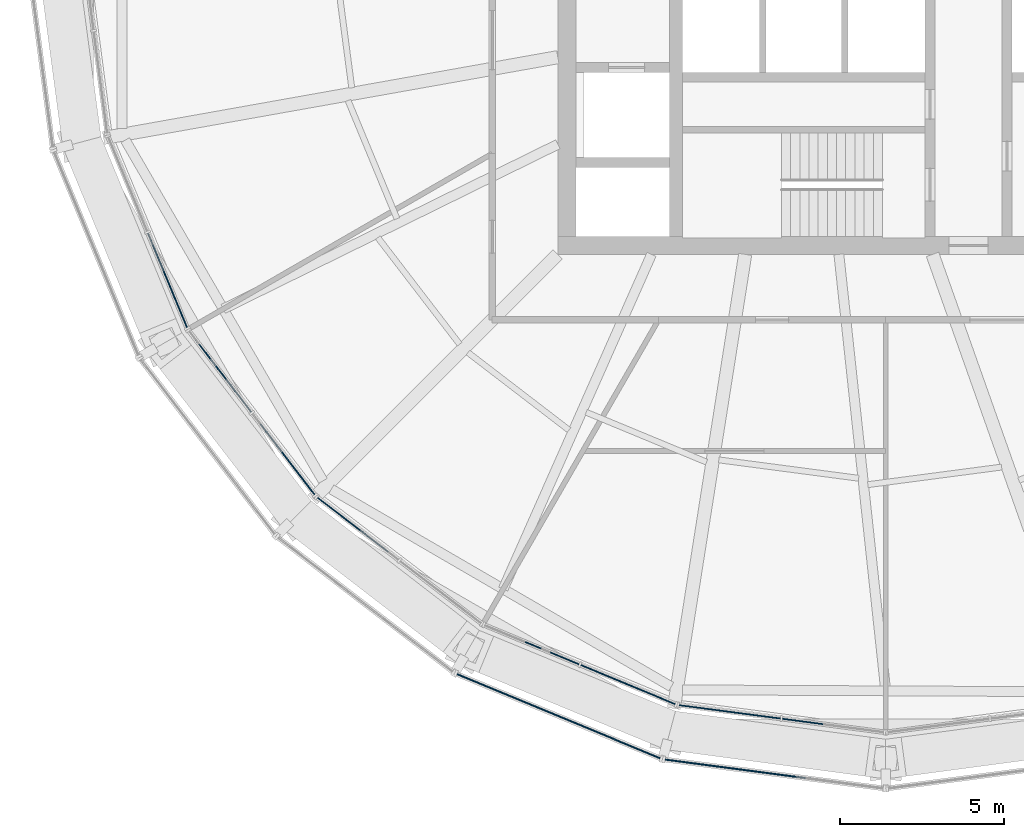
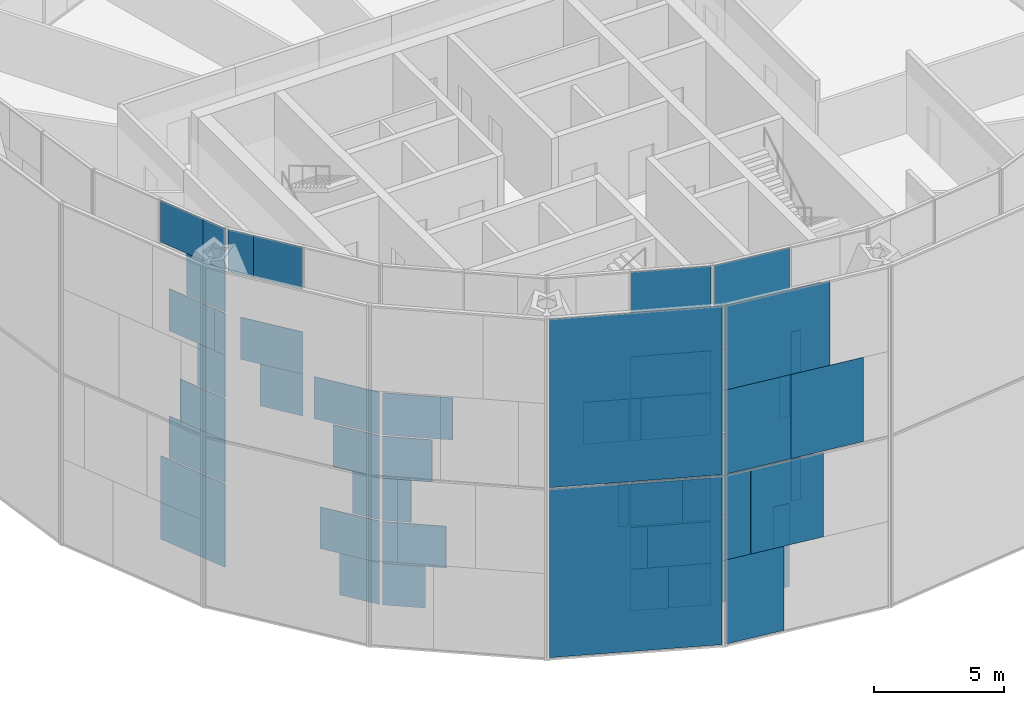
# One storey, part 14 of 30: 62 plates, 7 elements without a shape of their own.
"""IFC4 building model written with IfcOpenShell, lengths in metres."""

from ifc_helpers import new_model, si_unit, direction, frame, origin, origin_2d, place, context, subcontext, project, spatial, rectangle, extrude, material, layer, layer_set, type_object, element, aggregate, save


model = new_model("IFC4")

# Units and contexts
model_context = context("Model", 3, precision=1e-05, world=origin(), true_north=direction((0.0, 1.0)))
body_context = subcontext(model_context, "Body", "Model", "MODEL_VIEW")
ifc_project = project(units=[si_unit("LENGTHUNIT", "METRE"), si_unit("AREAUNIT", "SQUARE_METRE"), si_unit("VOLUMEUNIT", "CUBIC_METRE"), si_unit("PLANEANGLEUNIT", "RADIAN"), si_unit("MASSUNIT", "GRAM", prefix="KILO")], contexts=[model_context])

# Site, building, storey
site_placement = place(None, origin())
site = spatial("IfcSite", under=ifc_project, at=site_placement, CompositionType="ELEMENT")
building_placement = place(site_placement, origin())
building = spatial("IfcBuilding", under=site, at=building_placement, Name="Golbaran Civic Tower", CompositionType="ELEMENT")
storey_placement = place(building_placement, frame((0.0, 0.0, 102.0)))
storey = spatial("IfcBuildingStorey", under=building, at=storey_placement, Name="L24", CompositionType="ELEMENT", Elevation=102.0)

# Curtain wall, plates
ifc_material_1 = material(Name="Aluminium and glass", Category="aluminium")
curtain_wall_type_1 = type_object("IfcCurtainWallType", Name="INNER SKIN CURTAIN WALL", PredefinedType="NOTDEFINED", material=ifc_material_1)
curtain_wall_1_placement = place(storey_placement, origin())
curtain_wall_1 = element("IfcCurtainWall", 1, at=curtain_wall_1_placement, inside=storey, type_object=curtain_wall_type_1, Name="Inner skin L24 facet 14 CW1", ObjectType="INNER SKIN", PredefinedType="USERDEFINED")
ifc_material_2 = material(Name="Clear insulating glass", Category="glass")
ifc_layer_1 = layer(ifc_material_2, 0.031982421875, Name="Clear insulating glass")
ifc_layer_set_1 = layer_set([ifc_layer_1], Name="Clear insulating glass")
plate_type_1 = type_object("IfcPlateType", Name="INNER SKIN CURTAIN WALL GLAZED PANEL", PredefinedType="CURTAIN_PANEL", material=ifc_layer_set_1)
plate_1_placement = place(storey_placement, frame((-21.9052734375, -10.7919921875, 0.06494140625), z_axis=(0.0, 0.0, 1.0), x_axis=(0.382683432478, -0.923879532465, 0.0)))
plate_1 = element("IfcPlate", 2, at=plate_1_placement, type_object=plate_type_1, Name="CW1 panel 2.1", PredefinedType="CURTAIN_PANEL", context=body_context, shape_type="SweptSolid", body=[
    extrude(rectangle(XDim=3.110595703125, YDim=0.031982421875, at=origin_2d()), origin(), (0.0, 0.0, 1.0), 3.902587890625),
])
plate_2_placement = place(storey_placement, frame((-21.82861328125, -10.977294921875, 4.03271484375), z_axis=(0.0, 0.0, 1.0), x_axis=(0.382683432478, -0.923879532465, 0.0)))
plate_2 = element("IfcPlate", 3, at=plate_2_placement, type_object=plate_type_1, Name="CW1 panel 2.2 part 2", PredefinedType="CURTAIN_PANEL", context=body_context, shape_type="SweptSolid", body=[
    extrude(rectangle(XDim=2.70947265625, YDim=0.031982421875, at=origin_2d()), origin(), (0.0, 0.0, 1.0), 1.967529296875),
])
plate_3_placement = place(storey_placement, frame((-21.725341796875, -11.226318359375, 6.0), z_axis=(0.0, 0.0, 1.0), x_axis=(0.382683432478, -0.923879532465, 0.0)))
plate_3 = element("IfcPlate", 4, at=plate_3_placement, type_object=plate_type_1, Name="CW1 panel 2.2 part 4", PredefinedType="CURTAIN_PANEL", context=body_context, shape_type="SweptSolid", body=[
    extrude(rectangle(XDim=2.170654296875, YDim=0.031982421875, at=origin_2d()), origin(), (0.0, 0.0, 1.0), 1.967529296875),
])
plate_4_placement = place(storey_placement, frame((-21.564208984375, -11.615234375, 8.03271484375), z_axis=(0.0, 0.0, 1.0), x_axis=(0.382683432478, -0.923879532465, 0.0)))
plate_4 = element("IfcPlate", 5, at=plate_4_placement, type_object=plate_type_1, Name="CW1 panel 2.3 part 2", PredefinedType="CURTAIN_PANEL", context=body_context, shape_type="SweptSolid", body=[
    extrude(rectangle(XDim=1.32861328125, YDim=0.031982421875, at=origin_2d()), origin(), (0.0, 0.0, 1.0), 1.967529296875),
])
plate_5_placement = place(storey_placement, frame((-21.408203125, -11.99169921875, 10.0), z_axis=(0.0, 0.0, 1.0), x_axis=(0.382683432478, -0.923879532465, 0.0)))
plate_5 = element("IfcPlate", 6, at=plate_5_placement, type_object=plate_type_1, Name="CW1 panel 2.3 part 5", PredefinedType="CURTAIN_PANEL", context=body_context, shape_type="SweptSolid", body=[
    extrude(rectangle(XDim=0.513671875, YDim=0.031982421875, at=origin_2d()), origin(), (0.0, 0.0, 1.0), 1.967529296875),
])
plate_6_placement = place(storey_placement, frame((-22.108154296875, -10.30224609375, 13.98388671875), z_axis=(0.0, 0.0, 1.0), x_axis=(0.382683432478, -0.923879532465, 0.0)))
plate_6 = element("IfcPlate", 7, at=plate_6_placement, type_object=plate_type_1, Name="CW1 panel 2.4 part 3", PredefinedType="CURTAIN_PANEL", context=body_context, shape_type="SweptSolid", body=[
    extrude(rectangle(XDim=2.050048828125, YDim=0.031982421875, at=origin_2d()), origin(), (0.0, 0.0, 1.0), 1.951171875),
])

curtain_wall_2_placement = place(storey_placement, origin())
curtain_wall_2 = element("IfcCurtainWall", 8, at=curtain_wall_2_placement, inside=storey, type_object=curtain_wall_type_1, Name="Inner skin L24 facet 15 CW1", ObjectType="INNER SKIN", PredefinedType="USERDEFINED")
plate_7_placement = place(storey_placement, frame((-19.975830078125, -13.995361328125, 13.98388671875), z_axis=(0.0, 0.0, 1.0), x_axis=(0.608761428995, -0.793353340302, 0.0)))
plate_7 = element("IfcPlate", 9, at=plate_7_placement, type_object=plate_type_1, Name="CW1 panel 1.4 part 4", PredefinedType="CURTAIN_PANEL", context=body_context, shape_type="SweptSolid", body=[
    extrude(rectangle(XDim=2.049560546875, YDim=0.031982421875, at=origin_2d()), origin(), (0.0, 0.0, 1.0), 1.951171875),
])
plate_8_placement = place(storey_placement, frame((-17.754638671875, -16.889892578125, 4.03271484375), z_axis=(0.0, 0.0, 1.0), x_axis=(0.608761428995, -0.793353340302, 0.0)))
plate_8 = element("IfcPlate", 10, at=plate_8_placement, type_object=plate_type_1, Name="CW1 panel 2.2 part 2", PredefinedType="CURTAIN_PANEL", context=body_context, shape_type="SweptSolid", body=[
    extrude(rectangle(XDim=1.103515625, YDim=0.031982421875, at=origin_2d()), origin(), (0.0, 0.0, 1.0), 1.967529296875),
])
plate_9_placement = place(storey_placement, frame((-18.0029296875, -16.566650390625, 6.0), z_axis=(0.0, 0.0, 1.0), x_axis=(0.608761428995, -0.793353340302, 0.0)))
plate_9 = element("IfcPlate", 11, at=plate_9_placement, type_object=plate_type_1, Name="CW1 panel 2.2 part 4", PredefinedType="CURTAIN_PANEL", context=body_context, shape_type="SweptSolid", body=[
    extrude(rectangle(XDim=1.91845703125, YDim=0.031982421875, at=origin_2d()), origin(), (0.0, 0.0, 1.0), 1.967529296875),
])
plate_10_placement = place(storey_placement, frame((-18.243896484375, -16.25244140625, 8.03271484375), z_axis=(0.0, 0.0, 1.0), x_axis=(0.608761428995, -0.793353340302, 0.0)))
plate_10 = element("IfcPlate", 12, at=plate_10_placement, type_object=plate_type_1, Name="CW1 panel 2.3 part 2", PredefinedType="CURTAIN_PANEL", context=body_context, shape_type="SweptSolid", body=[
    extrude(rectangle(XDim=2.710693359375, YDim=0.031982421875, at=origin_2d()), origin(), (0.0, 0.0, 1.0), 1.967529296875),
])

curtain_wall_3_placement = place(storey_placement, origin())
curtain_wall_3 = element("IfcCurtainWall", 13, at=curtain_wall_3_placement, inside=storey, type_object=curtain_wall_type_1, Name="Inner skin L24 facet 16 CW1", ObjectType="INNER SKIN", PredefinedType="USERDEFINED")
plate_11_placement = place(storey_placement, frame((-16.889892578125, -17.7548828125, 4.03271484375), z_axis=(0.0, 0.0, 1.0), x_axis=(0.793353340302, -0.608761428995, 0.0)))
plate_11 = element("IfcPlate", 14, at=plate_11_placement, type_object=plate_type_1, Name="CW1 panel 1.2 part 1", PredefinedType="CURTAIN_PANEL", context=body_context, shape_type="SweptSolid", body=[
    extrude(rectangle(XDim=1.10400390625, YDim=0.031982421875, at=origin_2d()), origin(), (0.0, 0.0, 1.0), 1.967529296875),
])
plate_12_placement = place(storey_placement, frame((-16.56640625, -18.0029296875, 6.0), z_axis=(0.0, 0.0, 1.0), x_axis=(0.793353340302, -0.608761428995, 0.0)))
plate_12 = element("IfcPlate", 15, at=plate_12_placement, type_object=plate_type_1, Name="CW1 panel 1.2 part 3", PredefinedType="CURTAIN_PANEL", context=body_context, shape_type="SweptSolid", body=[
    extrude(rectangle(XDim=1.9189453125, YDim=0.031982421875, at=origin_2d()), origin(), (0.0, 0.0, 1.0), 1.967529296875),
])
plate_13_placement = place(storey_placement, frame((-16.253173828125, -18.243408203125, 8.03271484375), z_axis=(0.0, 0.0, 1.0), x_axis=(0.793353340302, -0.608761428995, 0.0)))
plate_13 = element("IfcPlate", 16, at=plate_13_placement, type_object=plate_type_1, Name="CW1 panel 1.3 part 1", PredefinedType="CURTAIN_PANEL", context=body_context, shape_type="SweptSolid", body=[
    extrude(rectangle(XDim=2.708984375, YDim=0.031982421875, at=origin_2d()), origin(), (0.0, 0.0, 1.0), 1.967529296875),
])

curtain_wall_4_placement = place(storey_placement, origin())
curtain_wall_4 = element("IfcCurtainWall", 17, at=curtain_wall_4_placement, inside=storey, type_object=curtain_wall_type_1, Name="Inner skin L24 facet 17 CW1", ObjectType="INNER SKIN", PredefinedType="USERDEFINED")
plate_14_placement = place(storey_placement, frame((-8.62060546875, -22.8046875, 0.06494140625), z_axis=(0.0, 0.0, 1.0), x_axis=(0.923879532465, -0.382683432478, 0.0)))
plate_14 = element("IfcPlate", 18, at=plate_14_placement, type_object=plate_type_1, Name="CW1 panel 2.1 part 1", PredefinedType="CURTAIN_PANEL", context=body_context, shape_type="SweptSolid", body=[
    extrude(rectangle(XDim=1.4599609375, YDim=0.031982421875, at=origin_2d()), origin(), (0.0, 0.0, 1.0), 1.951171875),
])
plate_15_placement = place(storey_placement, frame((-8.993896484375, -22.650146484375, 2.016357421875), z_axis=(0.0, 0.0, 1.0), x_axis=(0.923879532465, -0.382683432478, 0.0)))
plate_15 = element("IfcPlate", 19, at=plate_15_placement, type_object=plate_type_1, Name="CW1 panel 2.1 part 3", PredefinedType="CURTAIN_PANEL", context=body_context, shape_type="SweptSolid", body=[
    extrude(rectangle(XDim=0.652099609375, YDim=0.031982421875, at=origin_2d()), origin(), (0.0, 0.0, 1.0), 1.951171875),
])
plate_16_placement = place(storey_placement, frame((-6.93115234375, -23.50439453125, 4.03271484375), z_axis=(0.0, 0.0, 1.0), x_axis=(0.923879532465, -0.382683432478, 0.0)))
plate_16 = element("IfcPlate", 20, at=plate_16_placement, type_object=plate_type_1, Name="CW1 panel 2.2 part 2", PredefinedType="CURTAIN_PANEL", context=body_context, shape_type="SweptSolid", body=[
    extrude(rectangle(XDim=1.103515625, YDim=0.031982421875, at=origin_2d()), origin(), (0.0, 0.0, 1.0), 1.967529296875),
])
plate_17_placement = place(storey_placement, frame((-7.3076171875, -23.3486328125, 6.0), z_axis=(0.0, 0.0, 1.0), x_axis=(0.923879532465, -0.382683432478, 0.0)))
plate_17 = element("IfcPlate", 21, at=plate_17_placement, type_object=plate_type_1, Name="CW1 panel 2.2 part 4", PredefinedType="CURTAIN_PANEL", context=body_context, shape_type="SweptSolid", body=[
    extrude(rectangle(XDim=1.91845703125, YDim=0.031982421875, at=origin_2d()), origin(), (0.0, 0.0, 1.0), 1.967529296875),
])
plate_18_placement = place(storey_placement, frame((-7.67333984375, -23.197021484375, 8.03271484375), z_axis=(0.0, 0.0, 1.0), x_axis=(0.923879532465, -0.382683432478, 0.0)))
plate_18 = element("IfcPlate", 22, at=plate_18_placement, type_object=plate_type_1, Name="CW1 panel 2.3 part 2", PredefinedType="CURTAIN_PANEL", context=body_context, shape_type="SweptSolid", body=[
    extrude(rectangle(XDim=2.710693359375, YDim=0.031982421875, at=origin_2d()), origin(), (0.0, 0.0, 1.0), 1.967529296875),
])
plate_19_placement = place(storey_placement, frame((-7.858154296875, -23.120361328125, 10.0), z_axis=(0.0, 0.0, 1.0), x_axis=(0.923879532465, -0.382683432478, 0.0)))
plate_19 = element("IfcPlate", 23, at=plate_19_placement, type_object=plate_type_1, Name="CW1 panel 2.3 part 3", PredefinedType="CURTAIN_PANEL", context=body_context, shape_type="SweptSolid", body=[
    extrude(rectangle(XDim=3.110595703125, YDim=0.031982421875, at=origin_2d()), origin(), (0.0, 0.0, 1.0), 1.967529296875),
])
plate_20_placement = place(storey_placement, frame((-7.858154296875, -23.120361328125, 12.0322265625), z_axis=(0.0, 0.0, 1.0), x_axis=(0.923879532465, -0.382683432478, 0.0)))
plate_20 = element("IfcPlate", 24, at=plate_20_placement, type_object=plate_type_1, Name="CW1 panel 2.4", PredefinedType="CURTAIN_PANEL", context=body_context, shape_type="SweptSolid", body=[
    extrude(rectangle(XDim=3.110595703125, YDim=0.031982421875, at=origin_2d()), origin(), (0.0, 0.0, 1.0), 3.902587890625),
])

curtain_wall_5_placement = place(storey_placement, origin())
curtain_wall_5 = element("IfcCurtainWall", 25, at=curtain_wall_5_placement, inside=storey, type_object=curtain_wall_type_1, Name="Inner skin L24 facet 18 CW1", ObjectType="INNER SKIN", PredefinedType="USERDEFINED")
plate_21_placement = place(storey_placement, frame((-3.936767578125, -24.059814453125, 0.06494140625), z_axis=(0.0, 0.0, 1.0), x_axis=(0.991444861385, -0.130526192134, 0.0)))
plate_21 = element("IfcPlate", 26, at=plate_21_placement, type_object=plate_type_1, Name="CW1 panel 1.1 part 2", PredefinedType="CURTAIN_PANEL", context=body_context, shape_type="SweptSolid", body=[
    extrude(rectangle(XDim=1.460693359375, YDim=0.031982421875, at=origin_2d()), origin(), (0.0, 0.0, 1.0), 1.951171875),
])
plate_22_placement = place(storey_placement, frame((-3.535888671875, -24.112548828125, 2.016357421875), z_axis=(0.0, 0.0, 1.0), x_axis=(0.991444861385, -0.130526192134, 0.0)))
plate_22 = element("IfcPlate", 27, at=plate_22_placement, type_object=plate_type_1, Name="CW1 panel 1.1 part 4", PredefinedType="CURTAIN_PANEL", context=body_context, shape_type="SweptSolid", body=[
    extrude(rectangle(XDim=0.651611328125, YDim=0.031982421875, at=origin_2d()), origin(), (0.0, 0.0, 1.0), 1.951171875),
])
plate_23_placement = place(storey_placement, frame((-5.74951171875, -23.821044921875, 4.03271484375), z_axis=(0.0, 0.0, 1.0), x_axis=(0.991444861385, -0.130526192134, 0.0)))
plate_23 = element("IfcPlate", 28, at=plate_23_placement, type_object=plate_type_1, Name="CW1 panel 1.2 part 1", PredefinedType="CURTAIN_PANEL", context=body_context, shape_type="SweptSolid", body=[
    extrude(rectangle(XDim=1.10400390625, YDim=0.031982421875, at=origin_2d()), origin(), (0.0, 0.0, 1.0), 1.967529296875),
])
plate_24_placement = place(storey_placement, frame((-5.345458984375, -23.874267578125, 6.0), z_axis=(0.0, 0.0, 1.0), x_axis=(0.991444861385, -0.130526192134, 0.0)))
plate_24 = element("IfcPlate", 29, at=plate_24_placement, type_object=plate_type_1, Name="CW1 panel 1.2 part 3", PredefinedType="CURTAIN_PANEL", context=body_context, shape_type="SweptSolid", body=[
    extrude(rectangle(XDim=1.9189453125, YDim=0.031982421875, at=origin_2d()), origin(), (0.0, 0.0, 1.0), 1.967529296875),
])
plate_25_placement = place(storey_placement, frame((-4.953857421875, -23.92578125, 8.03271484375), z_axis=(0.0, 0.0, 1.0), x_axis=(0.991444861385, -0.130526192134, 0.0)))
plate_25 = element("IfcPlate", 30, at=plate_25_placement, type_object=plate_type_1, Name="CW1 panel 1.3 part 1", PredefinedType="CURTAIN_PANEL", context=body_context, shape_type="SweptSolid", body=[
    extrude(rectangle(XDim=2.708984375, YDim=0.031982421875, at=origin_2d()), origin(), (0.0, 0.0, 1.0), 1.967529296875),
])
plate_26_placement = place(storey_placement, frame((-4.7548828125, -23.951904296875, 10.0), z_axis=(0.0, 0.0, 1.0), x_axis=(0.991444861385, -0.130526192134, 0.0)))
plate_26 = element("IfcPlate", 31, at=plate_26_placement, type_object=plate_type_1, Name="CW1 panel 1.3 part 3", PredefinedType="CURTAIN_PANEL", context=body_context, shape_type="SweptSolid", body=[
    extrude(rectangle(XDim=3.110595703125, YDim=0.031982421875, at=origin_2d()), origin(), (0.0, 0.0, 1.0), 1.967529296875),
])
plate_27_placement = place(storey_placement, frame((-4.7548828125, -23.951904296875, 12.0322265625), z_axis=(0.0, 0.0, 1.0), x_axis=(0.991444861385, -0.130526192134, 0.0)))
plate_27 = element("IfcPlate", 32, at=plate_27_placement, type_object=plate_type_1, Name="CW1 panel 1.4", PredefinedType="CURTAIN_PANEL", context=body_context, shape_type="SweptSolid", body=[
    extrude(rectangle(XDim=3.110595703125, YDim=0.031982421875, at=origin_2d()), origin(), (0.0, 0.0, 1.0), 3.902587890625),
])
plate_28_placement = place(storey_placement, frame((-2.9501953125, -24.189697265625, 10.0), z_axis=(0.0, 0.0, 1.0), x_axis=(0.991444861385, -0.130526192134, 0.0)))
plate_28 = element("IfcPlate", 33, at=plate_28_placement, type_object=plate_type_1, Name="CW1 panel 2.3 part 3", PredefinedType="CURTAIN_PANEL", context=body_context, shape_type="SweptSolid", body=[
    extrude(rectangle(XDim=0.39990234375, YDim=0.031982421875, at=origin_2d()), origin(), (0.0, 0.0, 1.0), 1.967529296875),
])
plate_29_placement = place(storey_placement, frame((-2.53271484375, -24.24462890625, 12.032470703125), z_axis=(0.0, 0.0, 1.0), x_axis=(0.991444861385, -0.130526192134, 0.0)))
plate_29 = element("IfcPlate", 34, at=plate_29_placement, type_object=plate_type_1, Name="CW1 panel 2.4 part 1", PredefinedType="CURTAIN_PANEL", context=body_context, shape_type="SweptSolid", body=[
    extrude(rectangle(XDim=1.241943359375, YDim=0.031982421875, at=origin_2d()), origin(), (0.0, 0.0, 1.0), 1.951171875),
])

# Plate
ifc_material_3 = material(Name="Aluminium faced opaque infill panel", Category="aluminium")
ifc_layer_2 = layer(ifc_material_3, 0.031982421875, Name="Aluminium faced opaque infill panel")
ifc_layer_set_2 = layer_set([ifc_layer_2], Name="Aluminium faced opaque infill panel")
plate_type_2 = type_object("IfcPlateType", Name="INNER SKIN CURTAIN WALL OPAQUE INFILL PANEL", PredefinedType="CURTAIN_PANEL", material=ifc_layer_set_2)
plate_30_placement = place(storey_placement, frame((-21.927001953125, -10.739501953125, 10.0), z_axis=(0.0, 0.0, 1.0), x_axis=(0.382683432478, -0.923879532465, 0.0)))
plate_30 = element("IfcPlate", 35, at=plate_30_placement, type_object=plate_type_2, Name="CW1 infill panel 2.3 part 4", PredefinedType="CURTAIN_PANEL", context=body_context, shape_type="SweptSolid", body=[
    extrude(rectangle(XDim=2.197021484375, YDim=0.031982421875, at=origin_2d()), origin(), (0.0, 0.0, 1.0), 1.967529296875),
])

plate_31_placement = place(storey_placement, frame((-21.66748046875, -11.36572265625, 12.032470703125), z_axis=(0.0, 0.0, 1.0), x_axis=(0.382683432478, -0.923879532465, 0.0)))
plate_31 = element("IfcPlate", 36, at=plate_31_placement, type_object=plate_type_2, Name="CW1 infill panel 2.4 part 2", PredefinedType="CURTAIN_PANEL", context=body_context, shape_type="SweptSolid", body=[
    extrude(rectangle(XDim=1.86865234375, YDim=0.031982421875, at=origin_2d()), origin(), (0.0, 0.0, 1.0), 1.951171875),
])

plate_32_placement = place(storey_placement, frame((-21.512939453125, -11.739013671875, 13.98388671875), z_axis=(0.0, 0.0, 1.0), x_axis=(0.382683432478, -0.923879532465, 0.0)))
plate_32 = element("IfcPlate", 37, at=plate_32_placement, type_object=plate_type_2, Name="CW1 infill panel 2.4 part 4", PredefinedType="CURTAIN_PANEL", context=body_context, shape_type="SweptSolid", body=[
    extrude(rectangle(XDim=1.060546875, YDim=0.031982421875, at=origin_2d()), origin(), (0.0, 0.0, 1.0), 1.951171875),
])

aggregate(curtain_wall_1, [plate_1, plate_2, plate_3, plate_4, plate_30, plate_5, plate_31, plate_6, plate_32])

plate_33_placement = place(storey_placement, frame((-19.894287109375, -14.1015625, 8.03271484375), z_axis=(0.0, 0.0, 1.0), x_axis=(0.608761428995, -0.793353340302, 0.0)))
plate_33 = element("IfcPlate", 38, at=plate_33_placement, type_object=plate_type_2, Name="CW1 infill panel 1.3 part 2", PredefinedType="CURTAIN_PANEL", context=body_context, shape_type="SweptSolid", body=[
    extrude(rectangle(XDim=1.781494140625, YDim=0.031982421875, at=origin_2d()), origin(), (0.0, 0.0, 1.0), 1.967529296875),
])

plate_34_placement = place(storey_placement, frame((-20.142333984375, -13.7783203125, 10.0), z_axis=(0.0, 0.0, 1.0), x_axis=(0.608761428995, -0.793353340302, 0.0)))
plate_34 = element("IfcPlate", 39, at=plate_34_placement, type_object=plate_type_2, Name="CW1 infill panel 1.3 part 4", PredefinedType="CURTAIN_PANEL", context=body_context, shape_type="SweptSolid", body=[
    extrude(rectangle(XDim=2.5966796875, YDim=0.031982421875, at=origin_2d()), origin(), (0.0, 0.0, 1.0), 1.967529296875),
])

plate_35_placement = place(storey_placement, frame((-20.922607421875, -12.761474609375, 13.98388671875), z_axis=(0.0, 0.0, 1.0), x_axis=(0.608761428995, -0.793353340302, 0.0)))
plate_35 = element("IfcPlate", 40, at=plate_35_placement, type_object=plate_type_2, Name="CW1 infill panel 1.4 part 3", PredefinedType="CURTAIN_PANEL", context=body_context, shape_type="SweptSolid", body=[
    extrude(rectangle(XDim=1.06103515625, YDim=0.031982421875, at=origin_2d()), origin(), (0.0, 0.0, 1.0), 1.951171875),
])

plate_36_placement = place(storey_placement, frame((-17.921142578125, -16.6728515625, 0.06494140625), z_axis=(0.0, 0.0, 1.0), x_axis=(0.608761428995, -0.793353340302, 0.0)))
plate_36 = element("IfcPlate", 41, at=plate_36_placement, type_object=plate_type_2, Name="CW1 infill panel 2.1 part 2", PredefinedType="CURTAIN_PANEL", context=body_context, shape_type="SweptSolid", body=[
    extrude(rectangle(XDim=1.650634765625, YDim=0.031982421875, at=origin_2d()), origin(), (0.0, 0.0, 1.0), 1.951171875),
])

plate_37_placement = place(storey_placement, frame((-18.167236328125, -16.3525390625, 2.016357421875), z_axis=(0.0, 0.0, 1.0), x_axis=(0.608761428995, -0.793353340302, 0.0)))
plate_37 = element("IfcPlate", 42, at=plate_37_placement, type_object=plate_type_2, Name="CW1 infill panel 2.1 part 4", PredefinedType="CURTAIN_PANEL", context=body_context, shape_type="SweptSolid", body=[
    extrude(rectangle(XDim=2.45849609375, YDim=0.031982421875, at=origin_2d()), origin(), (0.0, 0.0, 1.0), 1.951171875),
])

aggregate(curtain_wall_2, [plate_33, plate_34, plate_35, plate_7, plate_36, plate_37, plate_8, plate_9, plate_10])

plate_38_placement = place(storey_placement, frame((-16.673095703125, -17.921142578125, 0.06494140625), z_axis=(0.0, 0.0, 1.0), x_axis=(0.793353340302, -0.608761428995, 0.0)))
plate_38 = element("IfcPlate", 43, at=plate_38_placement, type_object=plate_type_2, Name="CW1 infill panel 1.1 part 1", PredefinedType="CURTAIN_PANEL", context=body_context, shape_type="SweptSolid", body=[
    extrude(rectangle(XDim=1.64990234375, YDim=0.031982421875, at=origin_2d()), origin(), (0.0, 0.0, 1.0), 1.951171875),
])

plate_39_placement = place(storey_placement, frame((-16.352294921875, -18.167236328125, 2.016357421875), z_axis=(0.0, 0.0, 1.0), x_axis=(0.793353340302, -0.608761428995, 0.0)))
plate_39 = element("IfcPlate", 44, at=plate_39_placement, type_object=plate_type_2, Name="CW1 infill panel 1.1 part 3", PredefinedType="CURTAIN_PANEL", context=body_context, shape_type="SweptSolid", body=[
    extrude(rectangle(XDim=2.458984375, YDim=0.031982421875, at=origin_2d()), origin(), (0.0, 0.0, 1.0), 1.951171875),
])

aggregate(curtain_wall_3, [plate_38, plate_39, plate_11, plate_12, plate_13])

plate_40_placement = place(storey_placement, frame((-9.540771484375, -22.423583984375, 4.03271484375), z_axis=(0.0, 0.0, 1.0), x_axis=(0.923879532465, -0.382683432478, 0.0)))
plate_40 = element("IfcPlate", 45, at=plate_40_placement, type_object=plate_type_2, Name="CW1 infill panel 1.2 part 2", PredefinedType="CURTAIN_PANEL", context=body_context, shape_type="SweptSolid", body=[
    extrude(rectangle(XDim=0.401611328125, YDim=0.031982421875, at=origin_2d()), origin(), (0.0, 0.0, 1.0), 1.967529296875),
])

plate_41_placement = place(storey_placement, frame((-9.7890625, -22.320556640625, 6.0), z_axis=(0.0, 0.0, 1.0), x_axis=(0.923879532465, -0.382683432478, 0.0)))
plate_41 = element("IfcPlate", 46, at=plate_41_placement, type_object=plate_type_2, Name="CW1 infill panel 1.2 part 4", PredefinedType="CURTAIN_PANEL", context=body_context, shape_type="SweptSolid", body=[
    extrude(rectangle(XDim=0.939453125, YDim=0.031982421875, at=origin_2d()), origin(), (0.0, 0.0, 1.0), 1.967529296875),
])

plate_42_placement = place(storey_placement, frame((-10.17822265625, -22.159423828125, 8.03271484375), z_axis=(0.0, 0.0, 1.0), x_axis=(0.923879532465, -0.382683432478, 0.0)))
plate_42 = element("IfcPlate", 47, at=plate_42_placement, type_object=plate_type_2, Name="CW1 infill panel 1.3 part 2", PredefinedType="CURTAIN_PANEL", context=body_context, shape_type="SweptSolid", body=[
    extrude(rectangle(XDim=1.781494140625, YDim=0.031982421875, at=origin_2d()), origin(), (0.0, 0.0, 1.0), 1.967529296875),
])

plate_43_placement = place(storey_placement, frame((-7.183837890625, -23.39990234375, 0.06494140625), z_axis=(0.0, 0.0, 1.0), x_axis=(0.923879532465, -0.382683432478, 0.0)))
plate_43 = element("IfcPlate", 48, at=plate_43_placement, type_object=plate_type_2, Name="CW1 infill panel 2.1 part 2", PredefinedType="CURTAIN_PANEL", context=body_context, shape_type="SweptSolid", body=[
    extrude(rectangle(XDim=1.650634765625, YDim=0.031982421875, at=origin_2d()), origin(), (0.0, 0.0, 1.0), 1.951171875),
])

plate_44_placement = place(storey_placement, frame((-7.55712890625, -23.2451171875, 2.016357421875), z_axis=(0.0, 0.0, 1.0), x_axis=(0.923879532465, -0.382683432478, 0.0)))
plate_44 = element("IfcPlate", 49, at=plate_44_placement, type_object=plate_type_2, Name="CW1 infill panel 2.1 part 4", PredefinedType="CURTAIN_PANEL", context=body_context, shape_type="SweptSolid", body=[
    extrude(rectangle(XDim=2.45849609375, YDim=0.031982421875, at=origin_2d()), origin(), (0.0, 0.0, 1.0), 1.951171875),
])

plate_45_placement = place(storey_placement, frame((-8.367919921875, -22.909423828125, 4.03271484375), z_axis=(0.0, 0.0, 1.0), x_axis=(0.923879532465, -0.382683432478, 0.0)))
plate_45 = element("IfcPlate", 50, at=plate_45_placement, type_object=plate_type_2, Name="CW1 infill panel 2.2 part 1", PredefinedType="CURTAIN_PANEL", context=body_context, shape_type="SweptSolid", body=[
    extrude(rectangle(XDim=2.007080078125, YDim=0.031982421875, at=origin_2d()), origin(), (0.0, 0.0, 1.0), 1.967529296875),
])

plate_46_placement = place(storey_placement, frame((-8.744384765625, -22.75341796875, 6.0), z_axis=(0.0, 0.0, 1.0), x_axis=(0.923879532465, -0.382683432478, 0.0)))
plate_46 = element("IfcPlate", 51, at=plate_46_placement, type_object=plate_type_2, Name="CW1 infill panel 2.2 part 3", PredefinedType="CURTAIN_PANEL", context=body_context, shape_type="SweptSolid", body=[
    extrude(rectangle(XDim=1.19189453125, YDim=0.031982421875, at=origin_2d()), origin(), (0.0, 0.0, 1.0), 1.967529296875),
])

plate_47_placement = place(storey_placement, frame((-9.1103515625, -22.601806640625, 8.03271484375), z_axis=(0.0, 0.0, 1.0), x_axis=(0.923879532465, -0.382683432478, 0.0)))
plate_47 = element("IfcPlate", 52, at=plate_47_placement, type_object=plate_type_2, Name="CW1 infill panel 2.3 part 1", PredefinedType="CURTAIN_PANEL", context=body_context, shape_type="SweptSolid", body=[
    extrude(rectangle(XDim=0.39990234375, YDim=0.031982421875, at=origin_2d()), origin(), (0.0, 0.0, 1.0), 1.967529296875),
])

aggregate(curtain_wall_4, [plate_40, plate_41, plate_42, plate_14, plate_43, plate_15, plate_44, plate_45, plate_16, plate_46, plate_17, plate_47, plate_18, plate_19, plate_20])

plate_48_placement = place(storey_placement, frame((-5.478759765625, -23.856689453125, 0.06494140625), z_axis=(0.0, 0.0, 1.0), x_axis=(0.991444861385, -0.130526192134, 0.0)))
plate_48 = element("IfcPlate", 53, at=plate_48_placement, type_object=plate_type_2, Name="CW1 infill panel 1.1 part 1", PredefinedType="CURTAIN_PANEL", context=body_context, shape_type="SweptSolid", body=[
    extrude(rectangle(XDim=1.64990234375, YDim=0.031982421875, at=origin_2d()), origin(), (0.0, 0.0, 1.0), 1.951171875),
])

plate_49_placement = place(storey_placement, frame((-5.077880859375, -23.909423828125, 2.016357421875), z_axis=(0.0, 0.0, 1.0), x_axis=(0.991444861385, -0.130526192134, 0.0)))
plate_49 = element("IfcPlate", 54, at=plate_49_placement, type_object=plate_type_2, Name="CW1 infill panel 1.1 part 3", PredefinedType="CURTAIN_PANEL", context=body_context, shape_type="SweptSolid", body=[
    extrude(rectangle(XDim=2.458984375, YDim=0.031982421875, at=origin_2d()), origin(), (0.0, 0.0, 1.0), 1.951171875),
])

plate_50_placement = place(storey_placement, frame((-4.20751953125, -24.024169921875, 4.03271484375), z_axis=(0.0, 0.0, 1.0), x_axis=(0.991444861385, -0.130526192134, 0.0)))
plate_50 = element("IfcPlate", 55, at=plate_50_placement, type_object=plate_type_2, Name="CW1 infill panel 1.2 part 2", PredefinedType="CURTAIN_PANEL", context=body_context, shape_type="SweptSolid", body=[
    extrude(rectangle(XDim=2.006591796875, YDim=0.031982421875, at=origin_2d()), origin(), (0.0, 0.0, 1.0), 1.967529296875),
])

plate_51_placement = place(storey_placement, frame((-3.803466796875, -24.0771484375, 6.0), z_axis=(0.0, 0.0, 1.0), x_axis=(0.991444861385, -0.130526192134, 0.0)))
plate_51 = element("IfcPlate", 56, at=plate_51_placement, type_object=plate_type_2, Name="CW1 infill panel 1.2 part 4", PredefinedType="CURTAIN_PANEL", context=body_context, shape_type="SweptSolid", body=[
    extrude(rectangle(XDim=1.191650390625, YDim=0.031982421875, at=origin_2d()), origin(), (0.0, 0.0, 1.0), 1.967529296875),
])

plate_52_placement = place(storey_placement, frame((-3.411865234375, -24.12890625, 8.03271484375), z_axis=(0.0, 0.0, 1.0), x_axis=(0.991444861385, -0.130526192134, 0.0)))
plate_52 = element("IfcPlate", 57, at=plate_52_placement, type_object=plate_type_2, Name="CW1 infill panel 1.3 part 2", PredefinedType="CURTAIN_PANEL", context=body_context, shape_type="SweptSolid", body=[
    extrude(rectangle(XDim=0.401611328125, YDim=0.031982421875, at=origin_2d()), origin(), (0.0, 0.0, 1.0), 1.967529296875),
])

plate_53_placement = place(storey_placement, frame((-2.94970703125, -24.189697265625, 4.03271484375), z_axis=(0.0, 0.0, 1.0), x_axis=(0.991444861385, -0.130526192134, 0.0)))
plate_53 = element("IfcPlate", 58, at=plate_53_placement, type_object=plate_type_2, Name="CW1 infill panel 2.2 part 1", PredefinedType="CURTAIN_PANEL", context=body_context, shape_type="SweptSolid", body=[
    extrude(rectangle(XDim=0.40087890625, YDim=0.031982421875, at=origin_2d()), origin(), (0.0, 0.0, 1.0), 1.967529296875),
])

plate_54_placement = place(storey_placement, frame((-2.682373046875, -24.224853515625, 6.0), z_axis=(0.0, 0.0, 1.0), x_axis=(0.991444861385, -0.130526192134, 0.0)))
plate_54 = element("IfcPlate", 59, at=plate_54_placement, type_object=plate_type_2, Name="CW1 infill panel 2.2 part 3", PredefinedType="CURTAIN_PANEL", context=body_context, shape_type="SweptSolid", body=[
    extrude(rectangle(XDim=0.93994140625, YDim=0.031982421875, at=origin_2d()), origin(), (0.0, 0.0, 1.0), 1.967529296875),
])

aggregate(curtain_wall_5, [plate_48, plate_21, plate_49, plate_22, plate_23, plate_50, plate_24, plate_51, plate_25, plate_52, plate_26, plate_27, plate_53, plate_54, plate_28, plate_29])

# Curtain wall, plates
curtain_wall_type_2 = type_object("IfcCurtainWallType", Name="OUTER SKIN TERRACOTTA SCREEN", PredefinedType="NOTDEFINED", material=ifc_material_1)
curtain_wall_6_placement = place(storey_placement, origin())
curtain_wall_6 = element("IfcCurtainWall", 60, at=curtain_wall_6_placement, inside=storey, type_object=curtain_wall_type_2, Name="Outer skin L24 facet 18 CW3", ObjectType="OUTER SKIN", PredefinedType="USERDEFINED")
ifc_material_4 = material(Name="Clear laminated glass", Category="glass")
ifc_layer_3 = layer(ifc_material_4, 0.0400390625, Name="Clear laminated glass")
ifc_layer_set_3 = layer_set([ifc_layer_3], Name="Clear laminated glass")
plate_type_3 = type_object("IfcPlateType", Name="OUTER SKIN CLEAR GLASS PANEL", PredefinedType="CURTAIN_PANEL", material=ifc_layer_set_3)
plate_55_placement = place(storey_placement, frame((-6.2236328125, -25.4736328125, 3.31005859375), z_axis=(0.0, 0.0, 1.0), x_axis=(0.991444861381, -0.130526192168, 0.0)))
plate_55 = element("IfcPlate", 61, at=plate_55_placement, type_object=plate_type_3, Name="CW3 panel 1.1 part 3", PredefinedType="CURTAIN_PANEL", context=body_context, shape_type="SweptSolid", body=[
    extrude(rectangle(XDim=1.012939453125, YDim=0.0400390625, at=origin_2d()), origin(), (0.0, 0.0, 1.0), 3.93994140625),
])
plate_56_placement = place(storey_placement, frame((-5.398193359375, -25.582275390625, 7.330078125), z_axis=(0.0, 0.0, 1.0), x_axis=(0.991444861381, -0.130526192168, 0.0)))
plate_56 = element("IfcPlate", 62, at=plate_56_placement, type_object=plate_type_3, Name="CW3 panel 1.2 part 1", PredefinedType="CURTAIN_PANEL", context=body_context, shape_type="SweptSolid", body=[
    extrude(rectangle(XDim=2.677978515625, YDim=0.0400390625, at=origin_2d()), origin(), (0.0, 0.0, 1.0), 3.93994140625),
])
plate_57_placement = place(storey_placement, frame((-4.58935546875, -25.688720703125, 11.27001953125), z_axis=(0.0, 0.0, 1.0), x_axis=(0.991444861381, -0.130526192168, 0.0)))
plate_57 = element("IfcPlate", 63, at=plate_57_placement, type_object=plate_type_3, Name="CW3 panel 1.2 part 4", PredefinedType="CURTAIN_PANEL", context=body_context, shape_type="SweptSolid", body=[
    extrude(rectangle(XDim=4.31005859375, YDim=0.0400390625, at=origin_2d()), origin(), (0.0, 0.0, 1.0), 3.93994140625),
])
ifc_material_5 = material(Name="Terracotta baguette screen", Category="masonry")
ifc_layer_4 = layer(ifc_material_5, 0.0400390625, Name="Terracotta baguette screen")
ifc_layer_set_4 = layer_set([ifc_layer_4], Name="Terracotta baguette screen")
plate_type_4 = type_object("IfcPlateType", Name="OUTER SKIN TERRACOTTA INFILL PANEL", PredefinedType="CURTAIN_PANEL", material=ifc_layer_set_4)
plate_58_placement = place(storey_placement, frame((-5.53857421875, -25.563720703125, -0.6298828125), z_axis=(0.0, 0.0, 1.0), x_axis=(0.991444861381, -0.130526192168, 0.0)))
plate_58 = element("IfcPlate", 64, at=plate_58_placement, type_object=plate_type_4, Name="CW3 infill panel 1.1 part 1", PredefinedType="CURTAIN_PANEL", context=body_context, shape_type="SweptSolid", body=[
    extrude(rectangle(XDim=2.39501953125, YDim=0.0400390625, at=origin_2d()), origin(), (0.0, 0.0, 1.0), 3.93994140625),
])
plate_59_placement = place(storey_placement, frame((-4.227294921875, -25.736572265625, 3.31005859375), z_axis=(0.0, 0.0, 1.0), x_axis=(0.991444861381, -0.130526192168, 0.0)))
plate_59 = element("IfcPlate", 65, at=plate_59_placement, type_object=plate_type_4, Name="CW3 infill panel 1.1 part 4", PredefinedType="CURTAIN_PANEL", context=body_context, shape_type="SweptSolid", body=[
    extrude(rectangle(XDim=3.013916015625, YDim=0.0400390625, at=origin_2d()), origin(), (0.0, 0.0, 1.0), 3.93994140625),
])
plate_60_placement = place(storey_placement, frame((-2.57666015625, -25.953857421875, 7.330078125), z_axis=(0.0, 0.0, 1.0), x_axis=(0.991444861381, -0.130526192168, 0.0)))
plate_60 = element("IfcPlate", 66, at=plate_60_placement, type_object=plate_type_4, Name="CW3 infill panel 1.2 part 2", PredefinedType="CURTAIN_PANEL", context=body_context, shape_type="SweptSolid", body=[
    extrude(rectangle(XDim=3.013916015625, YDim=0.0400390625, at=origin_2d()), origin(), (0.0, 0.0, 1.0), 3.93994140625),
])
aggregate(curtain_wall_6, [plate_58, plate_55, plate_59, plate_56, plate_60, plate_57])

curtain_wall_7_placement = place(storey_placement, origin())
curtain_wall_7 = element("IfcCurtainWall", 67, at=curtain_wall_7_placement, inside=storey, type_object=curtain_wall_type_2, Name="Outer skin L24 facet 17 CW3", ObjectType="OUTER SKIN", PredefinedType="USERDEFINED")
ifc_layer_5 = layer(ifc_material_5, 0.0400390625, Name="Terracotta baguette screen")
ifc_layer_set_5 = layer_set([ifc_layer_5], Name="Terracotta baguette screen")
plate_type_5 = type_object("IfcPlateType", Name="OUTER SKIN TERRACOTTA SCREEN PANEL", PredefinedType="CURTAIN_PANEL", material=ifc_layer_set_5)
plate_61_placement = place(storey_placement, frame((-9.975830078125, -24.083740234375, -0.6298828125), z_axis=(0.0, 0.0, 1.0), x_axis=(0.923879532505, -0.382683432381, 0.0)))
plate_61 = element("IfcPlate", 68, at=plate_61_placement, type_object=plate_type_5, Name="CW3 terracotta screen panel 1.1", PredefinedType="CURTAIN_PANEL", context=body_context, shape_type="SweptSolid", body=[
    extrude(rectangle(XDim=6.703857421875, YDim=0.0400390625, at=origin_2d()), origin(), (0.0, 0.0, 1.0), 7.8798828125),
])
plate_62_placement = place(storey_placement, frame((-9.975830078125, -24.083740234375, 7.330078125), z_axis=(0.0, 0.0, 1.0), x_axis=(0.923879532505, -0.382683432381, 0.0)))
plate_62 = element("IfcPlate", 69, at=plate_62_placement, type_object=plate_type_5, Name="CW3 terracotta screen panel 1.2", PredefinedType="CURTAIN_PANEL", context=body_context, shape_type="SweptSolid", body=[
    extrude(rectangle(XDim=6.703857421875, YDim=0.0400390625, at=origin_2d()), origin(), (0.0, 0.0, 1.0), 7.8798828125),
])
aggregate(curtain_wall_7, [plate_61, plate_62])

save(model, "model.ifc")
